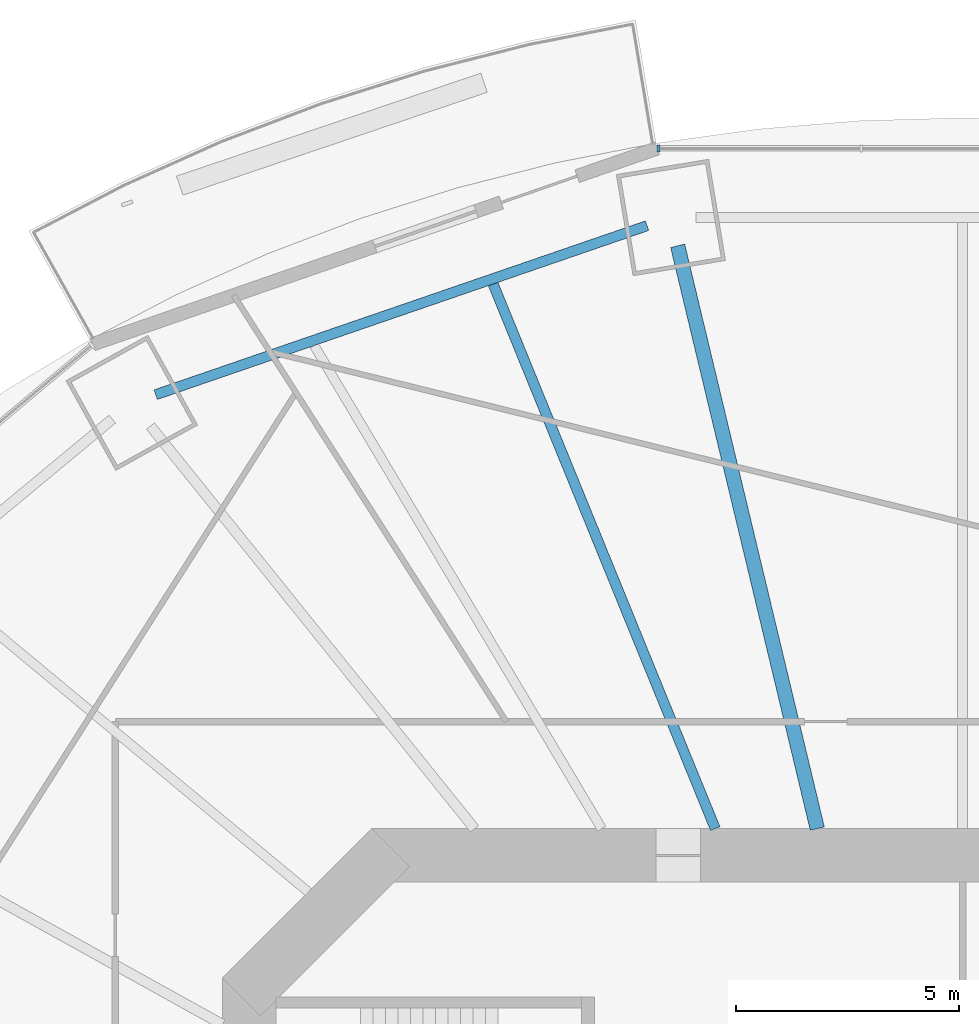
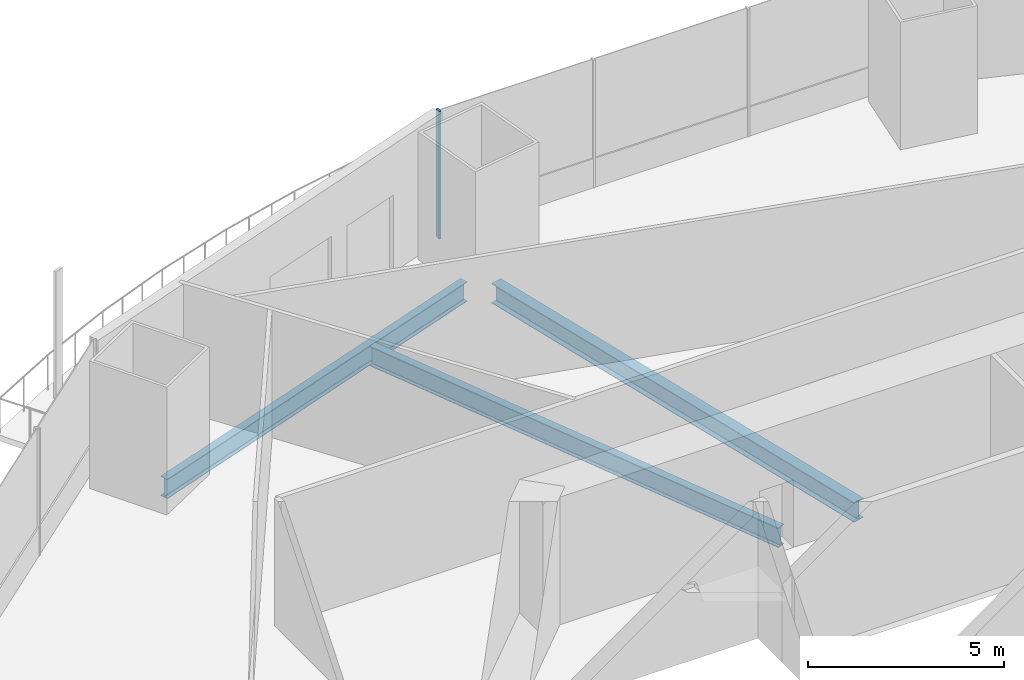
# One storey, part 7 of 22: 3 beams, 1 member, 1 element without a shape of its own.
"""IFC4 building model written with IfcOpenShell, lengths in metres."""

from ifc_helpers import new_model, si_unit, direction, frame, origin, origin_2d, place, context, subcontext, project, spatial, rectangle, i_section, extrude, material, material_profile, profile_set, type_object, element, aggregate, save


model = new_model("IFC4")

# Units and contexts
model_context = context("Model", 3, precision=1e-05, world=origin(), true_north=direction((0.0, 1.0)))
body_context = subcontext(model_context, "Body", "Model", "MODEL_VIEW")
ifc_project = project(units=[si_unit("LENGTHUNIT", "METRE"), si_unit("AREAUNIT", "SQUARE_METRE"), si_unit("VOLUMEUNIT", "CUBIC_METRE"), si_unit("PLANEANGLEUNIT", "RADIAN"), si_unit("MASSUNIT", "GRAM", prefix="KILO")], contexts=[model_context])

# Site, building, storey
site_placement = place(None, origin())
site = spatial("IfcSite", under=ifc_project, at=site_placement, CompositionType="ELEMENT")
building_placement = place(site_placement, origin())
building = spatial("IfcBuilding", under=site, at=building_placement, Name="Marenthal Gate Tower", CompositionType="ELEMENT")
storey_placement = place(building_placement, frame((0.0, 0.0, 91.10009765625)))
storey = spatial("IfcBuildingStorey", under=building, at=storey_placement, Name="L18", CompositionType="ELEMENT", Elevation=91.10009765625)

# Curtain wall, member
ifc_material_1 = material(Name="Aluminium and glass", Category="aluminium")
curtain_wall_type = type_object("IfcCurtainWallType", Name="Curtain wall typical low", PredefinedType="NOTDEFINED", material=ifc_material_1)
curtain_wall_placement = place(storey_placement, origin())
curtain_wall = element("IfcCurtainWall", 1, at=curtain_wall_placement, inside=storey, type_object=curtain_wall_type, Name="Curtain wall L18 bay 4", PredefinedType="NOTDEFINED")
ifc_material_2 = material(Name="Aluminium", Category="aluminium")
ifc_material_profile_1 = material_profile(ifc_material_2, rectangle(XDim=0.159912109375, YDim=0.06005859375, at=origin_2d()), Name="60x160 aluminium mullion")
ifc_profile_set_1 = profile_set([ifc_material_profile_1], Name="Aluminium")
member_type = type_object("IfcMemberType", Name="Mullion 60x160 typical low", PredefinedType="MULLION", material=ifc_profile_set_1)
member_placement = place(storey_placement, frame((-6.81982421875, 28.852783203125, 0.0), z_axis=(0.0, 0.0, 1.0), x_axis=(0.0, -1.0, 0.0)))
member = element("IfcMember", 2, at=member_placement, type_object=member_type, Name="Mullion L18 bay 4.4", PredefinedType="MULLION", context=body_context, shape_type="SweptSolid", body=[
    extrude(rectangle(XDim=0.159912109375, YDim=0.06005859375, at=origin_2d()), origin(), (0.0, 0.0, 1.0), 3.969970703125),
])
aggregate(curtain_wall, [member])

# Beams
ifc_material_3 = material(Name="Steel S355", Category="steel")
ifc_material_profile_2 = material_profile(ifc_material_3, i_section(OverallWidth=0.22900390625, OverallDepth=0.612060546875, WebThickness=0.011962890625, FlangeThickness=0.01953125, FilletRadius=0.0126953125, at=origin_2d()), Name="W610X125")
ifc_profile_set_2 = profile_set([ifc_material_profile_2], Name="Steel S355")
beam_type_1 = type_object("IfcBeamType", Name="W610X125 beam", PredefinedType="BEAM", material=ifc_profile_set_2)
beam_1_placement = place(storey_placement, frame((-10.52734375, 25.811279296875, -0.486083984375), z_axis=(0.377657332002, -0.925945430134, 0.0), x_axis=(0.925945430134, 0.377657332002, 0.0)))
element("IfcBeam", 3, at=beam_1_placement, inside=storey, type_object=beam_type_1, Name="BM-L18-23", PredefinedType="BEAM", context=body_context, shape_type="SweptSolid", body=[
    extrude(i_section(OverallWidth=0.22900390625, OverallDepth=0.612060546875, WebThickness=0.011962890625, FlangeThickness=0.01953125, FilletRadius=0.0126953125, at=origin_2d()), origin(), (0.0, 0.0, 1.0), 13.187744140625),
])
beam_2_placement = place(storey_placement, frame((-7.07568359375, 27.119384765625, -0.486083984375), z_axis=(-0.945652773526, -0.32517815413, 0.0), x_axis=(0.32517815413, -0.945652773526, 0.0)))
element("IfcBeam", 4, at=beam_2_placement, inside=storey, type_object=beam_type_1, Name="BM-L18-45", PredefinedType="BEAM", context=body_context, shape_type="SweptSolid", body=[
    extrude(i_section(OverallWidth=0.22900390625, OverallDepth=0.612060546875, WebThickness=0.011962890625, FlangeThickness=0.01953125, FilletRadius=0.0126953125, at=origin_2d()), origin(), (0.0, 0.0, 1.0), 11.65087890625),
])
ifc_material_4 = material(Name="Steel S355", Category="steel")
ifc_material_profile_3 = material_profile(ifc_material_4, i_section(OverallWidth=0.324951171875, OverallDepth=0.612060546875, WebThickness=0.0126953125, FlangeThickness=0.01904296875, FilletRadius=0.0126953125, at=origin_2d()), Name="W610X155")
ifc_profile_set_3 = profile_set([ifc_material_profile_3], Name="Steel S355")
beam_type_2 = type_object("IfcBeamType", Name="W610X155 beam", PredefinedType="BEAM", material=ifc_profile_set_3)
beam_3_placement = place(storey_placement, frame((-6.389404296875, 26.668212890625, -0.486083984375), z_axis=(0.233003942161, -0.972475790412, 0.0), x_axis=(0.972475790412, 0.233003942161, 0.0)))
element("IfcBeam", 5, at=beam_3_placement, inside=storey, type_object=beam_type_2, Name="BM-L18-05", PredefinedType="BEAM", context=body_context, shape_type="SweptSolid", body=[
    extrude(i_section(OverallWidth=0.324951171875, OverallDepth=0.612060546875, WebThickness=0.0126953125, FlangeThickness=0.01904296875, FilletRadius=0.0126953125, at=origin_2d()), origin(), (0.0, 0.0, 1.0), 13.43798828125),
])

save(model, "model.ifc")
